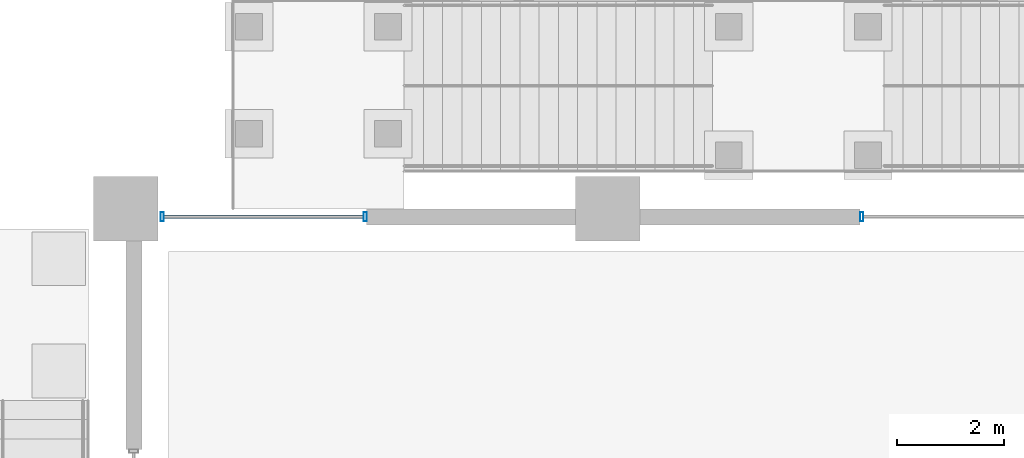
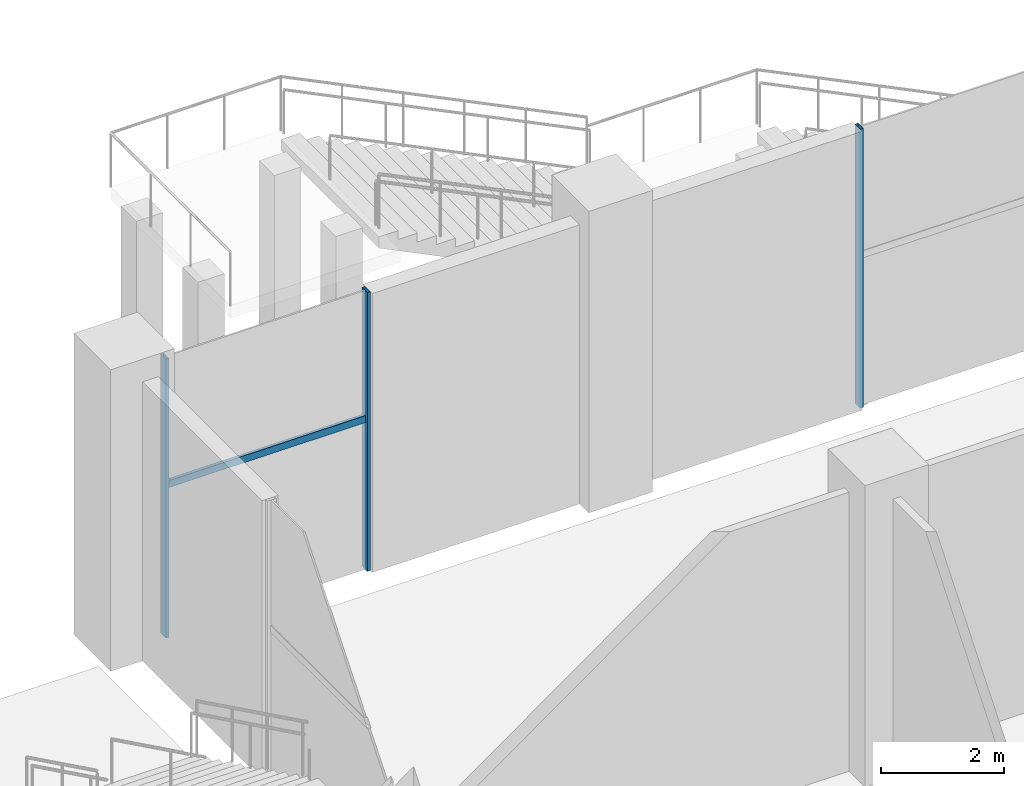
# One storey, part 12 of 68: 4 members, 2 elements without a shape of their own.
"""IFC4 building model written with IfcOpenShell, lengths in metres."""

from ifc_helpers import new_model, si_unit, direction, frame, origin, origin_2d, place, context, subcontext, project, spatial, hollow_rectangle, extrude, material, material_profile, profile_set, type_object, element, aggregate, save


model = new_model("IFC4")

# Units and contexts
model_context = context("Model", 3, precision=1e-05, world=origin(), true_north=direction((0.0, 1.0)))
body_context = subcontext(model_context, "Body", "Model", "MODEL_VIEW")
ifc_project = project(units=[si_unit("LENGTHUNIT", "METRE"), si_unit("AREAUNIT", "SQUARE_METRE"), si_unit("VOLUMEUNIT", "CUBIC_METRE"), si_unit("PLANEANGLEUNIT", "RADIAN"), si_unit("MASSUNIT", "GRAM", prefix="KILO")], contexts=[model_context])

# Site, building, storey
site_placement = place(None, origin())
site = spatial("IfcSite", under=ifc_project, at=site_placement, CompositionType="ELEMENT")
building_placement = place(site_placement, origin())
building = spatial("IfcBuilding", under=site, at=building_placement, Name="Altepetl Exchange Towers", CompositionType="ELEMENT")
storey_placement = place(building_placement, origin())
storey = spatial("IfcBuildingStorey", under=building, at=storey_placement, Name="L00 Ground concourse", CompositionType="ELEMENT", Elevation=0.0)

# Curtain wall, member
ifc_material_1 = material(Name="Aluminium 6063-T6 glazing", Category="aluminium")
curtain_wall_type = type_object("IfcCurtainWallType", Name="Podium storefront system", PredefinedType="NOTDEFINED", material=ifc_material_1)
curtain_wall_1_placement = place(storey_placement, origin())
curtain_wall_1 = element("IfcCurtainWall", 1, at=curtain_wall_1_placement, inside=storey, type_object=curtain_wall_type, Name="CW5 run", PredefinedType="NOTDEFINED")
ifc_material_2 = material(Name="Aluminium 6063-T6", Category="aluminium")
ifc_material_profile_1 = material_profile(ifc_material_2, hollow_rectangle(XDim=0.06005859375, YDim=0.175048828125, WallThickness=0.0029296875, at=origin_2d()), Name="Mullion 60x175 aluminium")
ifc_profile_set_1 = profile_set([ifc_material_profile_1], Name="Aluminium 6063-T6")
member_type_1 = type_object("IfcMemberType", Name="Mullion 60x175 aluminium", PredefinedType="MULLION", material=ifc_profile_set_1)
member_1_placement = place(storey_placement, frame((13.74658203125, 98.85009765625, 0.0), z_axis=(0.0, 0.0, 1.0), x_axis=(-1.0, 0.0, 0.0)))
member_1 = element("IfcMember", 2, at=member_1_placement, type_object=member_type_1, Name="MU4 mullion", PredefinedType="MULLION", context=body_context, shape_type="SweptSolid", body=[
    extrude(hollow_rectangle(XDim=0.06005859375, YDim=0.175048828125, WallThickness=0.0029296875, at=origin_2d()), origin(), (0.0, 0.0, 1.0), 5.550048828125),
])
aggregate(curtain_wall_1, [member_1])

# Curtain wall, members
curtain_wall_2_placement = place(storey_placement, origin())
curtain_wall_2 = element("IfcCurtainWall", 3, at=curtain_wall_2_placement, inside=storey, type_object=curtain_wall_type, Name="CW5 run", PredefinedType="NOTDEFINED")
member_2_placement = place(storey_placement, frame((4.469970703125, 98.85009765625, 0.0), z_axis=(0.0, 0.0, 1.0), x_axis=(-1.0, 0.0, 0.0)))
member_2 = element("IfcMember", 4, at=member_2_placement, type_object=member_type_1, Name="MU4 mullion", PredefinedType="MULLION", context=body_context, shape_type="SweptSolid", body=[
    extrude(hollow_rectangle(XDim=0.06005859375, YDim=0.175048828125, WallThickness=0.0029296875, at=origin_2d()), origin(), (0.0, 0.0, 1.0), 5.550048828125),
])
member_3_placement = place(storey_placement, frame((0.679931640625, 98.85009765625, 0.0), z_axis=(0.0, 0.0, 1.0), x_axis=(-1.0, 0.0, 0.0)))
member_3 = element("IfcMember", 5, at=member_3_placement, type_object=member_type_1, Name="MU4 mullion", PredefinedType="MULLION", context=body_context, shape_type="SweptSolid", body=[
    extrude(hollow_rectangle(XDim=0.06005859375, YDim=0.175048828125, WallThickness=0.0029296875, at=origin_2d()), origin(), (0.0, 0.0, 1.0), 5.550048828125),
])
ifc_material_profile_2 = material_profile(ifc_material_2, hollow_rectangle(XDim=0.06005859375, YDim=0.139892578125, WallThickness=0.0029296875, at=origin_2d()), Name="Transom 60x140 aluminium")
ifc_profile_set_2 = profile_set([ifc_material_profile_2], Name="Aluminium 6063-T6")
member_type_2 = type_object("IfcMemberType", Name="Transom 60x140 aluminium", PredefinedType="USERDEFINED", material=ifc_profile_set_2)
member_4_placement = place(storey_placement, frame((4.43994140625, 98.85009765625, 3.0), z_axis=(-1.0, 0.0, 0.0), x_axis=(0.0, -1.0, 0.0)))
member_4 = element("IfcMember", 6, at=member_4_placement, type_object=member_type_2, Name="TR3 transom", ObjectType="TRANSOM", PredefinedType="USERDEFINED", context=body_context, shape_type="SweptSolid", body=[
    extrude(hollow_rectangle(XDim=0.06005859375, YDim=0.139892578125, WallThickness=0.0029296875, at=origin_2d()), origin(), (0.0, 0.0, 1.0), 3.72998046875),
])
aggregate(curtain_wall_2, [member_2, member_3, member_4])

save(model, "model.ifc")
